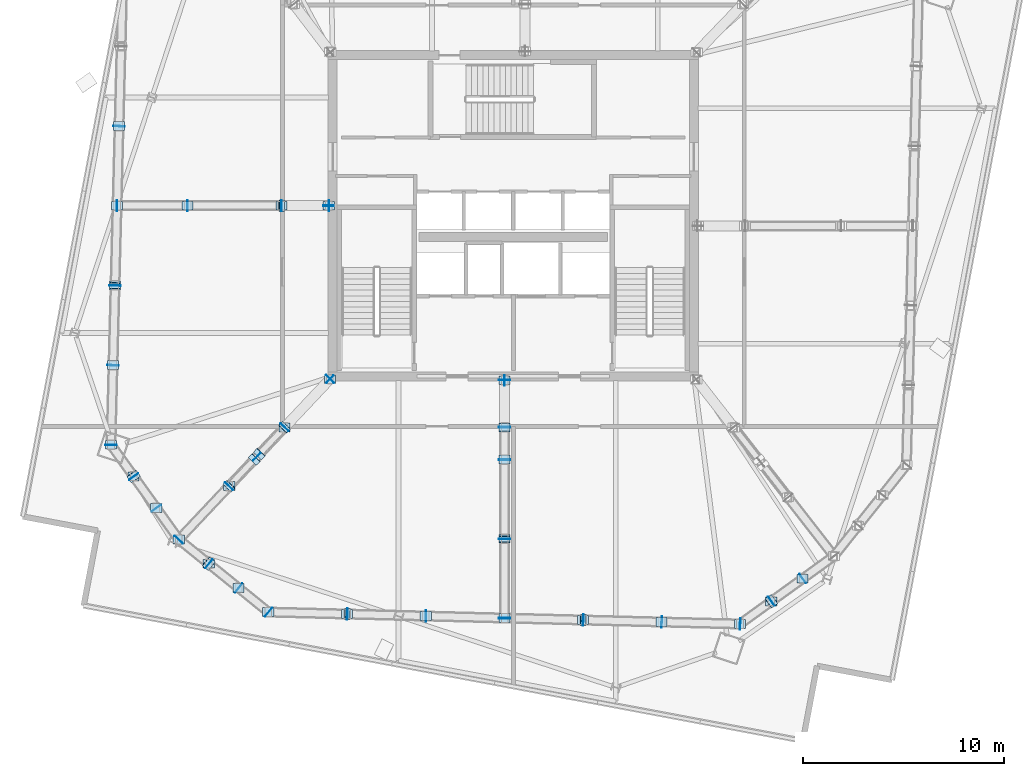
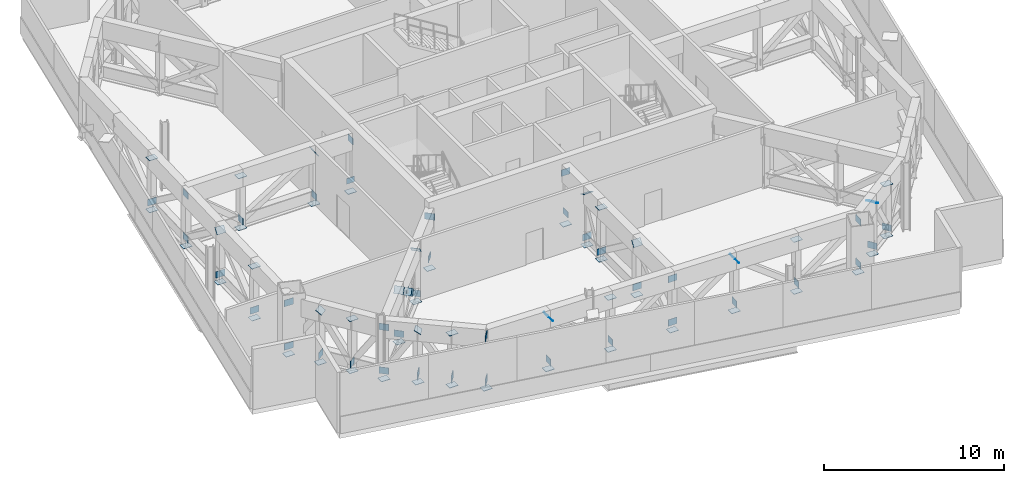
# One storey, part 7 of 15: 90 plates.
"""IFC4 building model written with IfcOpenShell, lengths in metres."""

from ifc_helpers import new_model, si_unit, direction, frame, origin, origin_2d, place, context, subcontext, project, spatial, rectangle, extrude, source, transform, mapped, material, layer, layer_set, type_object, element, save


model = new_model("IFC4")

# Units and contexts
model_context = context("Model", 3, precision=1e-05, world=origin(), true_north=direction((0.0, 1.0)))
body_context = subcontext(model_context, "Body", "Model", "MODEL_VIEW")
ifc_project = project(units=[si_unit("LENGTHUNIT", "METRE"), si_unit("AREAUNIT", "SQUARE_METRE"), si_unit("VOLUMEUNIT", "CUBIC_METRE"), si_unit("PLANEANGLEUNIT", "RADIAN"), si_unit("MASSUNIT", "GRAM", prefix="KILO")], contexts=[model_context])

# Site, building, storey
site_placement = place(None, origin())
site = spatial("IfcSite", under=ifc_project, at=site_placement, CompositionType="ELEMENT")
building_placement = place(site_placement, origin())
building = spatial("IfcBuilding", under=site, at=building_placement, Name="Haldenkirk Collegiate Tower", CompositionType="ELEMENT")
storey_placement = place(building_placement, frame((0.0, 0.0, 293.699951171875)))
storey = spatial("IfcBuildingStorey", under=building, at=storey_placement, Name="L74", CompositionType="ELEMENT", Elevation=293.699951171875)

# Plates
ifc_material = material(Name="Steel ASTM A572 Grade 50", Category="steel")
ifc_layer_1 = layer(ifc_material, 0.028076171875)
ifc_layer_set_1 = layer_set([ifc_layer_1], Name="Steel ASTM A572 Grade 50")
plate_type_1 = type_object("IfcPlateType", Name="PLT-CAP-INT-560X440", PredefinedType="USERDEFINED", material=ifc_layer_set_1)
shared_shape_1 = source(origin(), body_context, "Body", "SweptSolid", [
    extrude(rectangle(XDim=0.56005859375, YDim=0.43994140625, at=origin_2d()), origin(), (0.0, 0.0, 1.0), 0.028076171875),
])
for number, where, z_axis, x_axis, name in (
    (1, (26.86083984375, 17.85205078125, 3.5), (0.685771718329, 0.727816701059, 0.0), (-0.727816701059, 0.685771718329, 0.0), "Outrigger Truss L74 Radial 04 top chord 1 end cap plate 1"),
    (2, (24.59521484375, 15.44775390625, 0.550048828125), (0.68576913094, 0.727819138969, 0.0), (-0.727819138969, 0.68576913094, 0.0), "Outrigger Truss L74 Radial 04 bottom chord 2 end plate 1"),
    (3, (21.84716796875, 12.53125, 0.550048828125), (-0.68576913094, -0.727819138969, 0.0), (0.727819138969, -0.68576913094, 0.0), "Outrigger Truss L74 Radial 04 bottom chord 2 end plate 2"),
    (4, (24.595703125, 15.4482421875, 3.498291015625), (0.552543842948, 0.586433833316, 0.592275831655), (-0.727824625082, 0.685763308383, 3.53978e-07), "Outrigger Truss L74 Radial 04 web diagonal 2 end cap plate 1"),
    (5, (23.35546875, 14.132080078125, 1.881103515625), (-0.552542161744, -0.586445171669, 0.592266173373), (0.727832152809, -0.685755318854, 9.356e-08), "Outrigger Truss L74 Radial 04 split X-brace diagonal 2A end cap plate 2"),
    (6, (23.0869140625, 13.846923828125, 2.1689453125), (0.552525070446, 0.586431074769, -0.592296075517), (-0.727834364873, 0.685752971054, 1.99422e-07), "Outrigger Truss L74 Radial 04 split X-brace diagonal 2B end cap plate 1"),
    (7, (21.846923828125, 12.531005859375, 3.498291015625), (-0.552525070446, -0.586431074769, 0.592296075517), (0.727834364873, -0.685752971054, -1.99422e-07), "Outrigger Truss L74 Radial 04 split X-brace diagonal 2B end cap plate 2"),
    (8, (19.33837890625, 9.86865234375, 3.5), (-0.685773775992, -0.727814762259, 0.0), (0.727814762259, -0.685773775992, 0.0), "Outrigger Truss L74 Radial 04 top chord 3 end cap plate 2"),
    (9, (19.33837890625, 9.86865234375, 0.550048828125), (-0.68576913094, -0.727819138969, 0.0), (0.727819138969, -0.68576913094, 0.0), "Outrigger Truss L74 Radial 04 bottom chord 3 end plate 2"),
    (10, (26.86279296875, 17.8544921875, 0.0029296875), (0.0, 0.0, -1.0), (1.0, 0.0, 0.0), "Outrigger Truss L74 Radial 04 vertical post 1 end cap plate 1"),
    (11, (24.597412109375, 15.449951171875, 0.0029296875), (0.0, 0.0, -1.0), (1.0, 0.0, 0.0), "Outrigger Truss L74 Radial 04 vertical post 2 end cap plate 1"),
    (12, (21.84521484375, 12.529052734375, 0.0029296875), (0.0, 0.0, -1.0), (1.0, 0.0, 0.0), "Outrigger Truss L74 Radial 04 vertical post 3 end cap plate 1"),
    (13, (19.33642578125, 9.866455078125, 0.0029296875), (0.0, 0.0, -1.0), (1.0, 0.0, 0.0), "Outrigger Truss L74 Radial 04 vertical post 4 end cap plate 1"),
    (14, (26.796875, 26.499755859375, 3.5), (1.0, 0.0, 0.0), (0.0, 1.0, 0.0), "Outrigger Truss L74 Radial 07 top chord 1 end cap plate 1"),
    (15, (24.44677734375, 26.499755859375, 0.550048828125), (1.0, 0.0, 0.0), (0.0, 1.0, 0.0), "Outrigger Truss L74 Radial 07 bottom chord 2 end plate 1"),
    (16, (19.77392578125, 26.499755859375, 0.550048828125), (-1.0, 0.0, 0.0), (0.0, -1.0, 0.0), "Outrigger Truss L74 Radial 07 bottom chord 2 end plate 2"),
    (17, (24.447265625, 26.499755859375, 3.498291015625), (0.845914883116, 0.0, 0.533317926309), (0.0, 1.0, 0.0), "Outrigger Truss L74 Radial 07 web diagonal 2 end cap plate 1"),
    (18, (16.25927734375, 26.499755859375, 3.5), (-1.0, 0.0, 0.0), (0.0, -1.0, 0.0), "Outrigger Truss L74 Radial 07 top chord 3 end cap plate 2"),
    (19, (16.25927734375, 26.499755859375, 0.550048828125), (-1.0, 0.0, 0.0), (0.0, -1.0, 0.0), "Outrigger Truss L74 Radial 07 bottom chord 3 end plate 2"),
    (20, (26.800048828125, 26.499755859375, 0.0029296875), (0.0, 0.0, -1.0), (1.0, 0.0, 0.0), "Outrigger Truss L74 Radial 07 vertical post 1 end cap plate 1"),
    (21, (24.449951171875, 26.499755859375, 0.0029296875), (0.0, 0.0, -1.0), (1.0, 0.0, 0.0), "Outrigger Truss L74 Radial 07 vertical post 2 end cap plate 1"),
    (22, (19.77099609375, 26.499755859375, 0.0029296875), (0.0, 0.0, -1.0), (1.0, 0.0, 0.0), "Outrigger Truss L74 Radial 07 vertical post 3 end cap plate 1"),
    (23, (19.77099609375, 26.499755859375, 3.4970703125), (0.0, 0.0, 1.0), (1.0, 0.0, 0.0), "Outrigger Truss L74 Radial 07 vertical post 3 end cap plate 2"),
    (24, (16.25634765625, 26.499755859375, 0.0029296875), (0.0, 0.0, -1.0), (1.0, 0.0, 0.0), "Outrigger Truss L74 Radial 07 vertical post 4 end cap plate 1"),
    (25, (35.567626953125, 17.796875, 3.5), (0.0, 1.0, 0.0), (-1.0, 0.0, 0.0), "Outrigger Truss L74 Radial 08 top chord 1 end cap plate 1"),
    (26, (35.567626953125, 15.44677734375, 0.550048828125), (0.0, 1.0, 0.0), (-1.0, 0.0, 0.0), "Outrigger Truss L74 Radial 08 bottom chord 2 end plate 1"),
    (27, (35.567626953125, 13.8544921875, 0.550048828125), (0.0, -1.0, 0.0), (1.0, 0.0, 0.0), "Outrigger Truss L74 Radial 08 bottom chord 2 end plate 2"),
    (28, (35.567626953125, 15.448486328125, 3.497314453125), (0.0, 0.476417961723, 0.879218929361), (-1.0, 0.0, 0.0), "Outrigger Truss L74 Radial 08 web diagonal 2 end cap plate 1"),
    (29, (35.567626953125, 9.90625, 0.550048828125), (0.0, -1.0, 0.0), (1.0, 0.0, 0.0), "Outrigger Truss L74 Radial 08 bottom chord 3 end plate 2"),
    (30, (35.567626953125, 9.905517578125, 3.498291015625), (0.0, -0.80110623724, 0.598522177246), (1.0, 0.0, 0.0), "Outrigger Truss L74 Radial 08 web diagonal 3 end cap plate 2"),
    (31, (35.567626953125, 5.95751953125, 3.5), (0.0, -1.0, 0.0), (1.0, 0.0, 0.0), "Outrigger Truss L74 Radial 08 top chord 4 end cap plate 2"),
    (32, (35.567626953125, 5.95751953125, 0.550048828125), (0.0, -1.0, 0.0), (1.0, 0.0, 0.0), "Outrigger Truss L74 Radial 08 bottom chord 4 end plate 2"),
    (33, (35.567626953125, 17.800048828125, 0.0029296875), (0.0, 0.0, -1.0), (1.0, 0.0, 0.0), "Outrigger Truss L74 Radial 08 vertical post 1 end cap plate 1"),
    (34, (35.567626953125, 15.449951171875, 0.0029296875), (0.0, 0.0, -1.0), (1.0, 0.0, 0.0), "Outrigger Truss L74 Radial 08 vertical post 2 end cap plate 1"),
    (35, (35.567626953125, 13.8515625, 0.0029296875), (0.0, 0.0, -1.0), (1.0, 0.0, 0.0), "Outrigger Truss L74 Radial 08 vertical post 3 end cap plate 1"),
    (36, (35.567626953125, 13.8515625, 3.4970703125), (0.0, 0.0, 1.0), (1.0, 0.0, 0.0), "Outrigger Truss L74 Radial 08 vertical post 3 end cap plate 2"),
    (37, (35.567626953125, 9.903076171875, 0.0029296875), (0.0, 0.0, -1.0), (1.0, 0.0, 0.0), "Outrigger Truss L74 Radial 08 vertical post 4 end cap plate 1"),
    (38, (35.567626953125, 5.95458984375, 0.0029296875), (0.0, 0.0, -1.0), (1.0, 0.0, 0.0), "Outrigger Truss L74 Radial 08 vertical post 5 end cap plate 1"),
    (39, (16.356689453125, 30.473388671875, 0.550048828125), (-0.02531099052, -0.99967962556, 0.0), (0.99967962556, -0.02531099052, 0.0), "Belt Truss L74-10 bottom chord 2 end plate 2"),
    (40, (16.356689453125, 30.470458984375, 0.0029296875), (0.0, 0.0, -1.0), (1.0, 0.0, 0.0), "Belt Truss L74-10 vertical post 3 end cap plate 1"),
    (41, (16.356689453125, 30.470458984375, 3.4970703125), (0.0, 0.0, 1.0), (1.0, 0.0, 0.0), "Belt Truss L74-10 vertical post 3 end cap plate 2"),
    (42, (16.15576171875, 22.531982421875, 0.550048828125), (-0.025301996286, -0.999679853245, 0.0), (0.999679853245, -0.025301996286, 0.0), "Belt Truss L74-11 bottom chord 1 end plate 2"),
    (43, (16.15576171875, 22.531494140625, 3.498291015625), (-0.020312991874, -0.802545678938, 0.596244761469), (0.999679843476, -0.025302382268, 2.86763e-07), "Belt Truss L74-11 web diagonal 1 end cap plate 2"),
    (44, (16.05517578125, 18.561279296875, 0.550048828125), (-0.025301996286, -0.999679853245, 0.0), (0.999679853245, -0.025301996286, 0.0), "Belt Truss L74-11 bottom chord 2 end plate 2"),
    (45, (15.954833984375, 14.590576171875, 3.5), (-0.025301996286, -0.999679853245, 0.0), (0.999679853245, -0.025301996286, 0.0), "Belt Truss L74-11 top chord 3 end cap plate 2"),
    (46, (15.954833984375, 14.590576171875, 0.550048828125), (-0.025301996286, -0.999679853245, 0.0), (0.999679853245, -0.025301996286, 0.0), "Belt Truss L74-11 bottom chord 3 end plate 2"),
    (47, (16.15576171875, 22.529052734375, 0.0029296875), (0.0, 0.0, -1.0), (1.0, 0.0, 0.0), "Belt Truss L74-11 vertical post 2 end cap plate 1"),
    (48, (16.055419921875, 18.558349609375, 0.0029296875), (0.0, 0.0, -1.0), (1.0, 0.0, 0.0), "Belt Truss L74-11 vertical post 3 end cap plate 1"),
    (49, (16.055419921875, 18.558349609375, 3.4970703125), (0.0, 0.0, 1.0), (1.0, 0.0, 0.0), "Belt Truss L74-11 vertical post 3 end cap plate 2"),
    (50, (15.954833984375, 14.587646484375, 0.0029296875), (0.0, 0.0, -1.0), (1.0, 0.0, 0.0), "Belt Truss L74-11 vertical post 4 end cap plate 1"),
    (51, (17.080322265625, 13.016357421875, 0.550048828125), (0.582308123482, -0.812968172395, 0.0), (0.812968172395, 0.582308123482, 0.0), "Belt Truss L74-12 bottom chord 1 end plate 2"),
    (52, (17.0810546875, 13.015380859375, 3.49755859375), (0.319465003892, -0.446009005434, 0.836073010185), (0.812968104238, 0.582308218637, -1.78375e-07), "Belt Truss L74-12 web diagonal 1 end cap plate 2"),
    (53, (18.20751953125, 11.44287109375, 0.550048828125), (0.582308123482, -0.812968172395, 0.0), (0.812968172395, 0.582308123482, 0.0), "Belt Truss L74-12 bottom chord 2 end plate 2"),
    (54, (17.08203125, 13.013916015625, 0.0029296875), (0.0, 0.0, -1.0), (1.0, 0.0, 0.0), "Belt Truss L74-12 vertical post 2 end cap plate 1"),
    (55, (18.209228515625, 11.440185546875, 0.0029296875), (0.0, 0.0, -1.0), (1.0, 0.0, 0.0), "Belt Truss L74-12 vertical post 3 end cap plate 1"),
    (56, (18.209228515625, 11.440185546875, 3.4970703125), (0.0, 0.0, 1.0), (1.0, 0.0, 0.0), "Belt Truss L74-12 vertical post 3 end cap plate 2"),
    (57, (20.820556640625, 8.66357421875, 0.550048828125), (0.77694474408, -0.629568792624, 0.0), (0.629568792624, 0.77694474408, 0.0), "Belt Truss L74-13 bottom chord 1 end plate 2"),
    (58, (20.822021484375, 8.662841796875, 3.49755859375), (0.422807024837, -0.342608020126, 0.838960049283), (0.62957091965, 0.776943020518, -1.16157e-07), "Belt Truss L74-13 web diagonal 1 end cap plate 2"),
    (59, (22.30712890625, 7.458984375, 0.550048828125), (0.77694474408, -0.629568792624, 0.0), (0.629568792624, 0.77694474408, 0.0), "Belt Truss L74-13 bottom chord 2 end plate 2"),
    (60, (23.7939453125, 6.25439453125, 3.5), (0.776942973083, -0.629570978189, 0.0), (0.629570978189, 0.776942973083, 0.0), "Belt Truss L74-13 top chord 3 end cap plate 2"),
    (61, (23.7939453125, 6.25439453125, 0.550048828125), (0.77694474408, -0.629568792624, 0.0), (0.629568792624, 0.77694474408, 0.0), "Belt Truss L74-13 bottom chord 3 end plate 2"),
    (62, (20.822998046875, 8.661865234375, 0.0029296875), (0.0, 0.0, -1.0), (1.0, 0.0, 0.0), "Belt Truss L74-13 vertical post 2 end cap plate 1"),
    (63, (22.309814453125, 7.457275390625, 0.0029296875), (0.0, 0.0, -1.0), (1.0, 0.0, 0.0), "Belt Truss L74-13 vertical post 3 end cap plate 1"),
    (64, (22.309814453125, 7.457275390625, 3.4970703125), (0.0, 0.0, 1.0), (1.0, 0.0, 0.0), "Belt Truss L74-13 vertical post 3 end cap plate 2"),
    (65, (23.79638671875, 6.25244140625, 0.0029296875), (0.0, 0.0, -1.0), (1.0, 0.0, 0.0), "Belt Truss L74-13 vertical post 4 end cap plate 1"),
    (66, (27.71728515625, 6.153076171875, 0.550048828125), (0.999679701464, -0.025307992442, 0.0), (0.025307992442, 0.999679701464, 0.0), "Belt Truss L74-14 bottom chord 1 end plate 2"),
    (67, (27.7177734375, 6.1533203125, 3.498046875), (0.799129505404, -0.020223987483, 0.600818628142), (0.025299629423, 0.999679913148, -2.76785e-07), "Belt Truss L74-14 web diagonal 1 end cap plate 2"),
    (68, (31.640869140625, 6.0537109375, 0.550048828125), (0.999679701464, -0.025307992442, 0.0), (0.025307992442, 0.999679701464, 0.0), "Belt Truss L74-14 bottom chord 2 end plate 2"),
    (69, (27.72021484375, 6.1533203125, 0.0029296875), (0.0, 0.0, -1.0), (1.0, 0.0, 0.0), "Belt Truss L74-14 vertical post 2 end cap plate 1"),
    (70, (31.643798828125, 6.0537109375, 0.0029296875), (0.0, 0.0, -1.0), (1.0, 0.0, 0.0), "Belt Truss L74-14 vertical post 3 end cap plate 1"),
    (71, (31.643798828125, 6.0537109375, 3.4970703125), (0.0, 0.0, 1.0), (1.0, 0.0, 0.0), "Belt Truss L74-14 vertical post 3 end cap plate 2"),
    (72, (39.474365234375, 5.85546875, 0.550048828125), (0.999679777359, -0.025304994364, 0.0), (0.025304994364, 0.999679777359, 0.0), "Belt Truss L74-15 bottom chord 1 end plate 2"),
    (73, (39.474853515625, 5.85546875, 3.498046875), (0.798103858234, -0.02020899641, 0.602180893035), (0.025313090252, 0.999679572394, 7.6217e-08), "Belt Truss L74-15 web diagonal 1 end cap plate 2"),
    (74, (43.38427734375, 5.756591796875, 0.550048828125), (0.999679777359, -0.025304994364, 0.0), (0.025304994364, 0.999679777359, 0.0), "Belt Truss L74-15 bottom chord 2 end plate 2"),
    (75, (47.2939453125, 5.657470703125, 3.5), (0.999679574952, -0.025312989237, 0.0), (0.025312989237, 0.999679574952, 0.0), "Belt Truss L74-15 top chord 3 end cap plate 2"),
    (76, (47.2939453125, 5.657470703125, 0.550048828125), (0.999679777359, -0.025304994364, 0.0), (0.025304994364, 0.999679777359, 0.0), "Belt Truss L74-15 bottom chord 3 end plate 2"),
    (77, (39.477294921875, 5.85546875, 0.0029296875), (0.0, 0.0, -1.0), (1.0, 0.0, 0.0), "Belt Truss L74-15 vertical post 2 end cap plate 1"),
    (78, (43.38720703125, 5.756591796875, 0.0029296875), (0.0, 0.0, -1.0), (1.0, 0.0, 0.0), "Belt Truss L74-15 vertical post 3 end cap plate 1"),
    (79, (43.38720703125, 5.756591796875, 3.4970703125), (0.0, 0.0, 1.0), (1.0, 0.0, 0.0), "Belt Truss L74-15 vertical post 3 end cap plate 2"),
    (80, (47.296875, 5.65771484375, 0.0029296875), (0.0, 0.0, -1.0), (1.0, 0.0, 0.0), "Belt Truss L74-15 vertical post 4 end cap plate 1"),
    (81, (48.85400390625, 6.783203125, 0.550048828125), (0.810403739212, 0.585871811466, 0.0), (-0.585871811466, 0.810403739212, 0.0), "Belt Truss L74-16 bottom chord 1 end plate 2"),
    (82, (48.85546875, 6.784423828125, 3.49755859375), (0.442806202327, 0.320131146275, 0.83751938268), (-0.585882999736, 0.810395650667, -3.13381e-07), "Belt Truss L74-16 web diagonal 1 end cap plate 2"),
    (83, (50.413818359375, 7.910888671875, 0.550048828125), (0.810403739212, 0.585871811466, 0.0), (-0.585871811466, 0.810403739212, 0.0), "Belt Truss L74-16 bottom chord 2 end plate 2"),
    (84, (48.856689453125, 6.78515625, 0.0029296875), (0.0, 0.0, -1.0), (1.0, 0.0, 0.0), "Belt Truss L74-16 vertical post 2 end cap plate 1"),
    (85, (50.416259765625, 7.91259765625, 0.0029296875), (0.0, 0.0, -1.0), (1.0, 0.0, 0.0), "Belt Truss L74-16 vertical post 3 end cap plate 1"),
    (86, (50.416259765625, 7.91259765625, 3.4970703125), (0.0, 0.0, 1.0), (1.0, 0.0, 0.0), "Belt Truss L74-16 vertical post 3 end cap plate 2"),
):
    element("IfcPlate", number, at=place(storey_placement, frame(where, z_axis=z_axis, x_axis=x_axis)), inside=storey, type_object=plate_type_1, Name=name, ObjectType="END CAP PLATE", PredefinedType="USERDEFINED", context=body_context, shape_type="MappedRepresentation", body=[
        mapped(shared_shape_1, transform((0.0, 0.0, 0.0), x_axis=(1.0, 0.0, 0.0), y_axis=(0.0, 1.0, 0.0), z_axis=(0.0, 0.0, 1.0), scale=1.0)),
    ])
ifc_layer_2 = layer(ifc_material, 0.031982421875)
ifc_layer_set_2 = layer_set([ifc_layer_2], Name="Steel ASTM A572 Grade 50")
plate_type_2 = type_object("IfcPlateType", Name="PLT-GUSSET-INT-520X380", PredefinedType="USERDEFINED", material=ifc_layer_set_2)
shared_shape_2 = source(origin(), body_context, "Body", "SweptSolid", [
    extrude(rectangle(XDim=0.52001953125, YDim=0.031982421875, at=origin_2d()), origin(), (0.0, 0.0, 1.0), 0.3798828125),
])
for number, where, z_axis, x_axis, name in (
    (87, (23.22119140625, 13.989501953125, 1.835205078125), (0.0, 0.0, 1.0), (-0.685769311751, -0.727818968605, 0.0), "Outrigger Truss L74 Radial 04 X-brace crossing gusset plate 2"),
    (88, (26.86279296875, 17.8544921875, 0.550048828125), (0.0, 0.0, 1.0), (-0.685769311751, -0.727818968605, 0.0), "Outrigger Truss L74 Radial 04 bottom node gusset plate 1"),
    (89, (26.800048828125, 26.499755859375, 0.550048828125), (0.0, 0.0, 1.0), (-1.0, 0.0, 0.0), "Outrigger Truss L74 Radial 07 bottom node gusset plate 1"),
    (90, (35.567626953125, 17.800048828125, 0.550048828125), (0.0, 0.0, 1.0), (0.0, -1.0, 0.0), "Outrigger Truss L74 Radial 08 bottom node gusset plate 1"),
):
    element("IfcPlate", number, at=place(storey_placement, frame(where, z_axis=z_axis, x_axis=x_axis)), inside=storey, type_object=plate_type_2, Name=name, ObjectType="GUSSET PLATE", PredefinedType="USERDEFINED", context=body_context, shape_type="MappedRepresentation", body=[
        mapped(shared_shape_2, transform((0.0, 0.0, 0.0), x_axis=(1.0, 0.0, 0.0), y_axis=(0.0, 1.0, 0.0), z_axis=(0.0, 0.0, 1.0), scale=1.0)),
    ])

save(model, "model.ifc")
